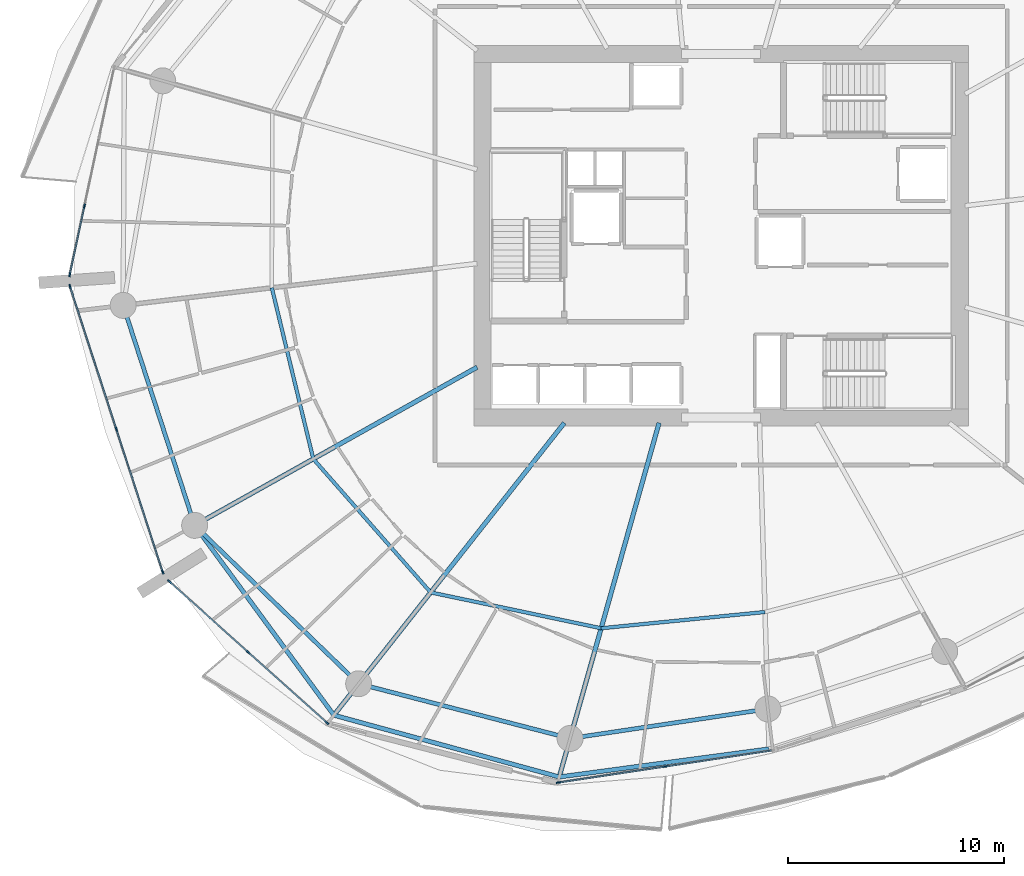
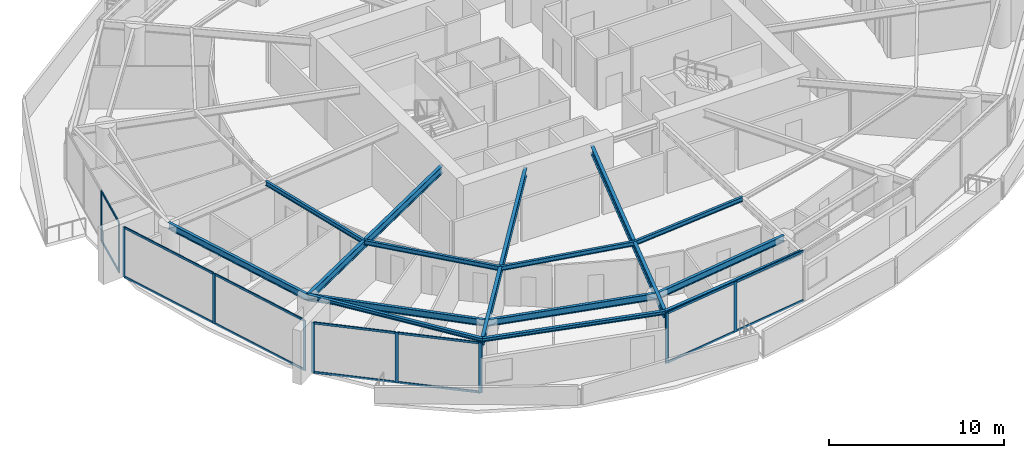
# One storey, part 5 of 23: 24 members, 14 beams, 4 elements without a shape of their own.
"""IFC4 building model written with IfcOpenShell, lengths in metres."""

from ifc_helpers import new_model, si_unit, direction, frame, origin, origin_2d, place, context, subcontext, project, spatial, rectangle, i_section, extrude, material, layer, layer_set, material_profile, profile_set, type_object, element, aggregate, save


model = new_model("IFC4")

# Units and contexts
model_context = context("Model", 3, precision=1e-05, world=origin(), true_north=direction((0.0, 1.0)))
body_context = subcontext(model_context, "Body", "Model", "MODEL_VIEW")
ifc_project = project(units=[si_unit("LENGTHUNIT", "METRE"), si_unit("AREAUNIT", "SQUARE_METRE"), si_unit("VOLUMEUNIT", "CUBIC_METRE"), si_unit("PLANEANGLEUNIT", "RADIAN"), si_unit("MASSUNIT", "GRAM", prefix="KILO")], contexts=[model_context])

# Site, building, storey
site_placement = place(None, origin())
site = spatial("IfcSite", under=ifc_project, at=site_placement, CompositionType="ELEMENT")
building_placement = place(site_placement, origin())
building = spatial("IfcBuilding", under=site, at=building_placement, Name="Kazma Halo Residences", CompositionType="ELEMENT")
storey_placement = place(building_placement, frame((0.0, 0.0, 105.14990234375)))
storey = spatial("IfcBuildingStorey", under=building, at=storey_placement, Name="L26", CompositionType="ELEMENT", Elevation=105.14990234375)

# Beams
ifc_material_1 = material(Name="Steel S355", Category="steel")
ifc_material_profile_1 = material_profile(ifc_material_1, i_section(OverallWidth=0.201904296875, OverallDepth=0.2470703125, WebThickness=0.00732421875, FlangeThickness=0.010986328125, FilletRadius=0.011962890625, at=origin_2d()), Name="W250x49.1")
ifc_profile_set_1 = profile_set([ifc_material_profile_1], Name="Steel S355")
beam_type_1 = type_object("IfcBeamType", Name="BM-BAL-CANT", PredefinedType="BEAM", material=ifc_profile_set_1)
beam_1_placement = place(storey_placement, frame((24.0966796875, 28.613525390625, 3.376708984375), z_axis=(0.59144927253, -0.806342209005, 0.0), x_axis=(0.806342209005, 0.59144927253, 0.0)))
element("IfcBeam", 1, at=beam_1_placement, inside=storey, type_object=beam_type_1, Name="L26 wave-balcony lead tie beam 09", PredefinedType="BEAM", context=body_context, shape_type="SweptSolid", body=[
    extrude(i_section(OverallWidth=0.201904296875, OverallDepth=0.2470703125, WebThickness=0.00732421875, FlangeThickness=0.010986328125, FilletRadius=0.011962890625, at=origin_2d()), origin(), (0.0, 0.0, 1.0), 10.87939453125),
])
beam_2_placement = place(storey_placement, frame((30.53125, 19.841064453125, 3.376708984375), z_axis=(0.964396617, -0.264460139, 0.0), x_axis=(0.264460139, 0.964396617, 0.0)))
element("IfcBeam", 2, at=beam_2_placement, inside=storey, type_object=beam_type_1, Name="L26 wave-balcony tie beam 10", PredefinedType="BEAM", context=body_context, shape_type="SweptSolid", body=[
    extrude(i_section(OverallWidth=0.201904296875, OverallDepth=0.2470703125, WebThickness=0.00732421875, FlangeThickness=0.010986328125, FilletRadius=0.011962890625, at=origin_2d()), origin(), (0.0, 0.0, 1.0), 10.79833984375),
])
beam_3_placement = place(storey_placement, frame((40.945068359375, 16.9853515625, 3.376708984375), z_axis=(0.991182511795, 0.13250369169, 0.0), x_axis=(-0.13250369169, 0.991182511795, 0.0)))
element("IfcBeam", 3, at=beam_3_placement, inside=storey, type_object=beam_type_1, Name="L26 wave-balcony tie beam 11", PredefinedType="BEAM", context=body_context, shape_type="SweptSolid", body=[
    extrude(i_section(OverallWidth=0.201904296875, OverallDepth=0.2470703125, WebThickness=0.00732421875, FlangeThickness=0.010986328125, FilletRadius=0.011962890625, at=origin_2d()), origin(), (0.0, 0.0, 1.0), 9.78369140625),
])
ifc_material_profile_2 = material_profile(ifc_material_1, i_section(OverallWidth=0.208984375, OverallDepth=0.532958984375, WebThickness=0.01025390625, FlangeThickness=0.015625, FilletRadius=0.01611328125, at=origin_2d()), Name="W530x92")
ifc_profile_set_2 = profile_set([ifc_material_profile_2], Name="Steel S355")
beam_type_2 = type_object("IfcBeamType", Name="BM-RAD-W530", PredefinedType="BEAM", material=ifc_profile_set_2)
beam_4_placement = place(storey_placement, frame((37.14990234375, 35.923583984375, 3.233642578125), z_axis=(-0.87249878074, -0.488616288724, 0.0), x_axis=(0.488616288724, -0.87249878074, 0.0)))
element("IfcBeam", 4, at=beam_4_placement, inside=storey, type_object=beam_type_2, Name="L26 radial floor beam 09", PredefinedType="BEAM", context=body_context, shape_type="SweptSolid", body=[
    extrude(i_section(OverallWidth=0.208984375, OverallDepth=0.532958984375, WebThickness=0.01025390625, FlangeThickness=0.015625, FilletRadius=0.01611328125, at=origin_2d()), origin(), (0.0, 0.0, 1.0), 14.960693359375),
])
beam_5_placement = place(storey_placement, frame((41.180908203125, 33.35009765625, 3.233642578125), z_axis=(-0.619093774822, -0.785317068436, 0.0), x_axis=(0.785317068436, -0.619093774822, 0.0)))
element("IfcBeam", 5, at=beam_5_placement, inside=storey, type_object=beam_type_2, Name="L26 radial floor beam 10", PredefinedType="BEAM", context=body_context, shape_type="SweptSolid", body=[
    extrude(i_section(OverallWidth=0.208984375, OverallDepth=0.532958984375, WebThickness=0.01025390625, FlangeThickness=0.015625, FilletRadius=0.01611328125, at=origin_2d()), origin(), (0.0, 0.0, 1.0), 17.201904296875),
])
beam_6_placement = place(storey_placement, frame((45.560302734375, 33.35009765625, 3.233642578125), z_axis=(-0.271434928076, -0.962456793742, 0.0), x_axis=(0.962456793742, -0.271434928076, 0.0)))
element("IfcBeam", 6, at=beam_6_placement, inside=storey, type_object=beam_type_2, Name="L26 radial floor beam 11", PredefinedType="BEAM", context=body_context, shape_type="SweptSolid", body=[
    extrude(i_section(OverallWidth=0.208984375, OverallDepth=0.532958984375, WebThickness=0.01025390625, FlangeThickness=0.015625, FilletRadius=0.01611328125, at=origin_2d()), origin(), (0.0, 0.0, 1.0), 17.003173828125),
])
ifc_material_profile_3 = material_profile(ifc_material_1, i_section(OverallWidth=0.1650390625, OverallDepth=0.31005859375, WebThickness=0.005859375, FlangeThickness=0.009765625, FilletRadius=0.011962890625, at=origin_2d()), Name="W310x38.7")
ifc_profile_set_3 = profile_set([ifc_material_profile_3], Name="Steel S355")
beam_type_3 = type_object("IfcBeamType", Name="BM-SEC-W310B", PredefinedType="JOIST", material=ifc_profile_set_3)
beam_7_placement = place(storey_placement, frame((27.6630859375, 39.593017578125, 3.34521484375), z_axis=(0.235442033286, -0.971888393264, 0.0), x_axis=(0.971888393264, 0.235442033286, 0.0)))
element("IfcBeam", 7, at=beam_7_placement, inside=storey, type_object=beam_type_3, Name="L26 circumferential floor joist 08", PredefinedType="JOIST", context=body_context, shape_type="SweptSolid", body=[
    extrude(i_section(OverallWidth=0.1650390625, OverallDepth=0.31005859375, WebThickness=0.005859375, FlangeThickness=0.009765625, FilletRadius=0.011962890625, at=origin_2d()), origin(), (0.0, 0.0, 1.0), 8.137939453125),
])
beam_8_placement = place(storey_placement, frame((29.5791015625, 31.683837890625, 3.34521484375), z_axis=(0.660379309564, -0.750932199003, 0.0), x_axis=(0.750932199003, 0.660379309564, 0.0)))
element("IfcBeam", 8, at=beam_8_placement, inside=storey, type_object=beam_type_3, Name="L26 circumferential floor joist 09", PredefinedType="JOIST", context=body_context, shape_type="SweptSolid", body=[
    extrude(i_section(OverallWidth=0.1650390625, OverallDepth=0.31005859375, WebThickness=0.005859375, FlangeThickness=0.009765625, FilletRadius=0.011962890625, at=origin_2d()), origin(), (0.0, 0.0, 1.0), 8.215087890625),
])
beam_9_placement = place(storey_placement, frame((35.004150390625, 25.514892578125, 3.34521484375), z_axis=(0.978607976751, -0.205733876255, 0.0), x_axis=(0.205733876255, 0.978607976751, 0.0)))
element("IfcBeam", 9, at=beam_9_placement, inside=storey, type_object=beam_type_3, Name="L26 circumferential floor joist 10", PredefinedType="JOIST", context=body_context, shape_type="SweptSolid", body=[
    extrude(i_section(OverallWidth=0.1650390625, OverallDepth=0.31005859375, WebThickness=0.005859375, FlangeThickness=0.009765625, FilletRadius=0.011962890625, at=origin_2d()), origin(), (0.0, 0.0, 1.0), 8.051513671875),
])
beam_10_placement = place(storey_placement, frame((42.883544921875, 23.8583984375, 3.34521484375), z_axis=(0.995106821048, 0.098804932586, 0.0), x_axis=(-0.098804932586, 0.995106821048, 0.0)))
element("IfcBeam", 10, at=beam_10_placement, inside=storey, type_object=beam_type_3, Name="L26 circumferential floor joist 11", PredefinedType="JOIST", context=body_context, shape_type="SweptSolid", body=[
    extrude(i_section(OverallWidth=0.1650390625, OverallDepth=0.31005859375, WebThickness=0.005859375, FlangeThickness=0.009765625, FilletRadius=0.011962890625, at=origin_2d()), origin(), (0.0, 0.0, 1.0), 7.610595703125),
])
ifc_material_profile_4 = material_profile(ifc_material_1, i_section(OverallWidth=0.18994140625, OverallDepth=0.45703125, WebThickness=0.009033203125, FlangeThickness=0.014404296875, FilletRadius=0.01611328125, at=origin_2d()), Name="W460x74")
ifc_profile_set_4 = profile_set([ifc_material_profile_4], Name="Steel S355")
beam_type_4 = type_object("IfcBeamType", Name="BM-SPN-W460", PredefinedType="BEAM", material=ifc_profile_set_4)
beam_11_placement = place(storey_placement, frame((20.79345703125, 38.77978515625, 3.271484375), z_axis=(0.309017385422, -0.951056389236, 0.0), x_axis=(0.951056389236, 0.309017385422, 0.0)))
element("IfcBeam", 11, at=beam_11_placement, inside=storey, type_object=beam_type_4, Name="L26 perimeter ring beam 08", PredefinedType="BEAM", context=body_context, shape_type="SweptSolid", body=[
    extrude(i_section(OverallWidth=0.18994140625, OverallDepth=0.45703125, WebThickness=0.009033203125, FlangeThickness=0.014404296875, FilletRadius=0.01611328125, at=origin_2d()), origin(), (0.0, 0.0, 1.0), 10.689453125),
])
beam_12_placement = place(storey_placement, frame((24.0966796875, 28.613525390625, 3.271484375), z_axis=(0.719336783114, -0.694661494873, 0.0), x_axis=(0.694661494873, 0.719336783114, 0.0)))
element("IfcBeam", 12, at=beam_12_placement, inside=storey, type_object=beam_type_4, Name="L26 perimeter ring beam 09", PredefinedType="BEAM", context=body_context, shape_type="SweptSolid", body=[
    extrude(i_section(OverallWidth=0.18994140625, OverallDepth=0.45703125, WebThickness=0.009033203125, FlangeThickness=0.014404296875, FilletRadius=0.01611328125, at=origin_2d()), origin(), (0.0, 0.0, 1.0), 10.537353515625),
])
beam_13_placement = place(storey_placement, frame((31.676513671875, 21.293701171875, 3.271484375), z_axis=(0.968124968683, -0.250467652626, 0.0), x_axis=(0.250467652626, 0.968124968683, 0.0)))
element("IfcBeam", 13, at=beam_13_placement, inside=storey, type_object=beam_type_4, Name="L26 perimeter ring beam 10", PredefinedType="BEAM", context=body_context, shape_type="SweptSolid", body=[
    extrude(i_section(OverallWidth=0.18994140625, OverallDepth=0.45703125, WebThickness=0.009033203125, FlangeThickness=0.014404296875, FilletRadius=0.01611328125, at=origin_2d()), origin(), (0.0, 0.0, 1.0), 10.092529296875),
])
beam_14_placement = place(storey_placement, frame((41.447265625, 18.765869140625, 3.271484375), z_axis=(0.989034176303, 0.147686824414, 0.0), x_axis=(-0.147686824414, 0.989034176303, 0.0)))
element("IfcBeam", 14, at=beam_14_placement, inside=storey, type_object=beam_type_4, Name="L26 perimeter ring beam 11", PredefinedType="BEAM", context=body_context, shape_type="SweptSolid", body=[
    extrude(i_section(OverallWidth=0.18994140625, OverallDepth=0.45703125, WebThickness=0.009033203125, FlangeThickness=0.014404296875, FilletRadius=0.01611328125, at=origin_2d()), origin(), (0.0, 0.0, 1.0), 9.242431640625),
])

# Curtain wall, members
ifc_material_2 = material(Name="Aluminium AW-6063 T6 and Triple-Silver Low-E Glass", Category="aluminium")
ifc_layer = layer(ifc_material_2, 0.199951171875)
ifc_layer_set = layer_set([ifc_layer], Name="Aluminium AW-6063 T6 and Triple-Silver Low-E Glass")
curtain_wall_type = type_object("IfcCurtainWallType", Name="CW-SYS-3", PredefinedType="NOTDEFINED", material=ifc_layer_set)
curtain_wall_1_placement = place(storey_placement, origin())
curtain_wall_1 = element("IfcCurtainWall", 15, at=curtain_wall_1_placement, inside=storey, type_object=curtain_wall_type, Name="L26 unitised curtain wall B07", PredefinedType="NOTDEFINED")
ifc_material_3 = material(Name="Aluminium AW-6063 T6", Category="aluminium")
ifc_material_profile_5 = material_profile(ifc_material_3, rectangle(XDim=0.070068359375, YDim=0.199951171875, at=origin_2d()), Name="CWM-70x200")
ifc_profile_set_5 = profile_set([ifc_material_profile_5], Name="Aluminium AW-6063 T6")
member_type_1 = type_object("IfcMemberType", Name="CW-SYS-3-MUL", PredefinedType="MULLION", material=ifc_profile_set_5)
member_1_placement = place(storey_placement, frame((19.004638671875, 43.36865234375, 0.0), z_axis=(0.0, 0.0, 1.0), x_axis=(0.977774176093, -0.209660822677, 0.0)))
member_1 = element("IfcMember", 16, at=member_1_placement, type_object=member_type_1, Name="CWS-3 mullion 3", PredefinedType="MULLION", context=body_context, shape_type="SweptSolid", body=[
    extrude(rectangle(XDim=0.070068359375, YDim=0.199951171875, at=origin_2d()), origin(), (0.0, 0.0, 1.0), 3.5),
])
member_2_placement = place(storey_placement, frame((18.323486328125, 40.192626953125, 0.0), z_axis=(0.0, 0.0, 1.0), x_axis=(0.977774176093, -0.209660822677, 0.0)))
member_2 = element("IfcMember", 17, at=member_2_placement, type_object=member_type_1, Name="CWS-3 mullion 4", PredefinedType="MULLION", context=body_context, shape_type="SweptSolid", body=[
    extrude(rectangle(XDim=0.070068359375, YDim=0.199951171875, at=origin_2d()), origin(), (0.0, 0.0, 1.0), 3.5),
])

curtain_wall_2_placement = place(storey_placement, origin())
curtain_wall_2 = element("IfcCurtainWall", 18, at=curtain_wall_2_placement, inside=storey, type_object=curtain_wall_type, Name="L26 unitised curtain wall B08", PredefinedType="NOTDEFINED")
member_3_placement = place(storey_placement, frame((18.334716796875, 39.6572265625, 0.0), z_axis=(0.0, 0.0, 1.0), x_axis=(0.951057722508, 0.309013282008, 0.0)))
member_3 = element("IfcMember", 19, at=member_3_placement, type_object=member_type_1, Name="CWS-3 mullion 1", PredefinedType="MULLION", context=body_context, shape_type="SweptSolid", body=[
    extrude(rectangle(XDim=0.070068359375, YDim=0.199951171875, at=origin_2d()), origin(), (0.0, 0.0, 1.0), 3.5),
])
member_4_placement = place(storey_placement, frame((20.47900390625, 33.057861328125, 0.0), z_axis=(0.0, 0.0, 1.0), x_axis=(0.951057722508, 0.309013282008, 0.0)))
member_4 = element("IfcMember", 20, at=member_4_placement, type_object=member_type_1, Name="CWS-3 mullion 2", PredefinedType="MULLION", context=body_context, shape_type="SweptSolid", body=[
    extrude(rectangle(XDim=0.070068359375, YDim=0.199951171875, at=origin_2d()), origin(), (0.0, 0.0, 1.0), 3.5),
])
member_5_placement = place(storey_placement, frame((22.623291015625, 26.45849609375, 0.0), z_axis=(0.0, 0.0, 1.0), x_axis=(0.951057722508, 0.309013282008, 0.0)))
member_5 = element("IfcMember", 21, at=member_5_placement, type_object=member_type_1, Name="CWS-3 mullion 3", PredefinedType="MULLION", context=body_context, shape_type="SweptSolid", body=[
    extrude(rectangle(XDim=0.070068359375, YDim=0.199951171875, at=origin_2d()), origin(), (0.0, 0.0, 1.0), 3.5),
])

curtain_wall_3_placement = place(storey_placement, origin())
curtain_wall_3 = element("IfcCurtainWall", 22, at=curtain_wall_3_placement, inside=storey, type_object=curtain_wall_type, Name="L26 unitised curtain wall B09", PredefinedType="NOTDEFINED")
member_6_placement = place(storey_placement, frame((22.928955078125, 26.018798828125, 0.0), z_axis=(0.0, 0.0, 1.0), x_axis=(0.667794957375, 0.744345279359, 0.0)))
member_6 = element("IfcMember", 23, at=member_6_placement, type_object=member_type_1, Name="CWS-3 mullion 1", PredefinedType="MULLION", context=body_context, shape_type="SweptSolid", body=[
    extrude(rectangle(XDim=0.070068359375, YDim=0.199951171875, at=origin_2d()), origin(), (0.0, 0.0, 1.0), 3.5),
])
member_7_placement = place(storey_placement, frame((26.568603515625, 22.75341796875, 0.0), z_axis=(0.0, 0.0, 1.0), x_axis=(0.667794957375, 0.744345279359, 0.0)))
member_7 = element("IfcMember", 24, at=member_7_placement, type_object=member_type_1, Name="CWS-3 mullion 2", PredefinedType="MULLION", context=body_context, shape_type="SweptSolid", body=[
    extrude(rectangle(XDim=0.070068359375, YDim=0.199951171875, at=origin_2d()), origin(), (0.0, 0.0, 1.0), 3.5),
])
member_8_placement = place(storey_placement, frame((30.208251953125, 19.48779296875, 0.0), z_axis=(0.0, 0.0, 1.0), x_axis=(0.667794957375, 0.744345279359, 0.0)))
member_8 = element("IfcMember", 25, at=member_8_placement, type_object=member_type_1, Name="CWS-3 mullion 3", PredefinedType="MULLION", context=body_context, shape_type="SweptSolid", body=[
    extrude(rectangle(XDim=0.070068359375, YDim=0.199951171875, at=origin_2d()), origin(), (0.0, 0.0, 1.0), 3.5),
])

curtain_wall_4_placement = place(storey_placement, origin())
curtain_wall_4 = element("IfcCurtainWall", 26, at=curtain_wall_4_placement, inside=storey, type_object=curtain_wall_type, Name="L26 unitised curtain wall B11", PredefinedType="NOTDEFINED")
member_9_placement = place(storey_placement, frame((40.90576171875, 16.728271484375, 0.0), z_axis=(0.0, 0.0, 1.0), x_axis=(-0.148717330409, 0.988879747814, 0.0)))
member_9 = element("IfcMember", 27, at=member_9_placement, type_object=member_type_1, Name="CWS-3 mullion 1", PredefinedType="MULLION", context=body_context, shape_type="SweptSolid", body=[
    extrude(rectangle(XDim=0.070068359375, YDim=0.199951171875, at=origin_2d()), origin(), (0.0, 0.0, 1.0), 3.5),
])
member_10_placement = place(storey_placement, frame((45.843017578125, 17.470703125, 0.0), z_axis=(0.0, 0.0, 1.0), x_axis=(-0.148717330409, 0.988879747814, 0.0)))
member_10 = element("IfcMember", 28, at=member_10_placement, type_object=member_type_1, Name="CWS-3 mullion 2", PredefinedType="MULLION", context=body_context, shape_type="SweptSolid", body=[
    extrude(rectangle(XDim=0.070068359375, YDim=0.199951171875, at=origin_2d()), origin(), (0.0, 0.0, 1.0), 3.5),
])

# Member
ifc_material_profile_6 = material_profile(ifc_material_3, rectangle(XDim=0.070068359375, YDim=0.14990234375, at=origin_2d()), Name="CWT-70x150")
ifc_profile_set_6 = profile_set([ifc_material_profile_6], Name="Aluminium AW-6063 T6")
member_type_2 = type_object("IfcMemberType", Name="CW-SYS-3-TRN", PredefinedType="USERDEFINED", material=ifc_profile_set_6)
member_11_placement = place(storey_placement, frame((18.997314453125, 43.33447265625, 0.03515625), z_axis=(-0.209717949017, -0.977761924939, 0.0), x_axis=(0.977761924939, -0.209717949017, 0.0)))
member_11 = element("IfcMember", 29, at=member_11_placement, type_object=member_type_2, Name="CWS-3 transom 3.1", ObjectType="TRANSOM", PredefinedType="USERDEFINED", context=body_context, shape_type="SweptSolid", body=[
    extrude(rectangle(XDim=0.070068359375, YDim=0.14990234375, at=origin_2d()), origin(), (0.0, 0.0, 1.0), 3.177978515625),
])

member_12_placement = place(storey_placement, frame((18.997314453125, 43.33447265625, 3.465087890625), z_axis=(-0.209717949017, -0.977761924939, 0.0), x_axis=(0.977761924939, -0.209717949017, 0.0)))
member_12 = element("IfcMember", 30, at=member_12_placement, type_object=member_type_2, Name="CWS-3 transom 3.2", ObjectType="TRANSOM", PredefinedType="USERDEFINED", context=body_context, shape_type="SweptSolid", body=[
    extrude(rectangle(XDim=0.070068359375, YDim=0.14990234375, at=origin_2d()), origin(), (0.0, 0.0, 1.0), 3.177978515625),
])

aggregate(curtain_wall_1, [member_1, member_2, member_11, member_12])

member_13_placement = place(storey_placement, frame((18.345458984375, 39.6240234375, 0.03515625), z_axis=(0.309000079699, -0.95106201204, 0.0), x_axis=(0.95106201204, 0.309000079699, 0.0)))
member_13 = element("IfcMember", 31, at=member_13_placement, type_object=member_type_2, Name="CWS-3 transom 1.1", ObjectType="TRANSOM", PredefinedType="USERDEFINED", context=body_context, shape_type="SweptSolid", body=[
    extrude(rectangle(XDim=0.070068359375, YDim=0.14990234375, at=origin_2d()), origin(), (0.0, 0.0, 1.0), 6.869140625),
])

member_14_placement = place(storey_placement, frame((18.345458984375, 39.6240234375, 3.465087890625), z_axis=(0.309000079699, -0.95106201204, 0.0), x_axis=(0.95106201204, 0.309000079699, 0.0)))
member_14 = element("IfcMember", 32, at=member_14_placement, type_object=member_type_2, Name="CWS-3 transom 1.2", ObjectType="TRANSOM", PredefinedType="USERDEFINED", context=body_context, shape_type="SweptSolid", body=[
    extrude(rectangle(XDim=0.070068359375, YDim=0.14990234375, at=origin_2d()), origin(), (0.0, 0.0, 1.0), 6.869140625),
])

member_15_placement = place(storey_placement, frame((20.48974609375, 33.024658203125, 0.03515625), z_axis=(0.309000079699, -0.95106201204, 0.0), x_axis=(0.95106201204, 0.309000079699, 0.0)))
member_15 = element("IfcMember", 33, at=member_15_placement, type_object=member_type_2, Name="CWS-3 transom 2.1", ObjectType="TRANSOM", PredefinedType="USERDEFINED", context=body_context, shape_type="SweptSolid", body=[
    extrude(rectangle(XDim=0.070068359375, YDim=0.14990234375, at=origin_2d()), origin(), (0.0, 0.0, 1.0), 6.869140625),
])

member_16_placement = place(storey_placement, frame((20.48974609375, 33.024658203125, 3.465087890625), z_axis=(0.309000079699, -0.95106201204, 0.0), x_axis=(0.95106201204, 0.309000079699, 0.0)))
member_16 = element("IfcMember", 34, at=member_16_placement, type_object=member_type_2, Name="CWS-3 transom 2.2", ObjectType="TRANSOM", PredefinedType="USERDEFINED", context=body_context, shape_type="SweptSolid", body=[
    extrude(rectangle(XDim=0.070068359375, YDim=0.14990234375, at=origin_2d()), origin(), (0.0, 0.0, 1.0), 6.869140625),
])

aggregate(curtain_wall_2, [member_3, member_4, member_5, member_13, member_14, member_15, member_16])

member_17_placement = place(storey_placement, frame((22.954833984375, 25.995361328125, 0.03515625), z_axis=(0.744338471453, -0.667802545603, 0.0), x_axis=(0.667802545603, 0.744338471453, 0.0)))
member_17 = element("IfcMember", 35, at=member_17_placement, type_object=member_type_2, Name="CWS-3 transom 1.1", ObjectType="TRANSOM", PredefinedType="USERDEFINED", context=body_context, shape_type="SweptSolid", body=[
    extrude(rectangle(XDim=0.070068359375, YDim=0.14990234375, at=origin_2d()), origin(), (0.0, 0.0, 1.0), 4.81982421875),
])

member_18_placement = place(storey_placement, frame((22.954833984375, 25.995361328125, 3.465087890625), z_axis=(0.744338471453, -0.667802545603, 0.0), x_axis=(0.667802545603, 0.744338471453, 0.0)))
member_18 = element("IfcMember", 36, at=member_18_placement, type_object=member_type_2, Name="CWS-3 transom 1.2", ObjectType="TRANSOM", PredefinedType="USERDEFINED", context=body_context, shape_type="SweptSolid", body=[
    extrude(rectangle(XDim=0.070068359375, YDim=0.14990234375, at=origin_2d()), origin(), (0.0, 0.0, 1.0), 4.81982421875),
])

member_19_placement = place(storey_placement, frame((26.5947265625, 22.72998046875, 0.03515625), z_axis=(0.744338471453, -0.667802545603, 0.0), x_axis=(0.667802545603, 0.744338471453, 0.0)))
member_19 = element("IfcMember", 37, at=member_19_placement, type_object=member_type_2, Name="CWS-3 transom 2.1", ObjectType="TRANSOM", PredefinedType="USERDEFINED", context=body_context, shape_type="SweptSolid", body=[
    extrude(rectangle(XDim=0.070068359375, YDim=0.14990234375, at=origin_2d()), origin(), (0.0, 0.0, 1.0), 4.81982421875),
])

member_20_placement = place(storey_placement, frame((26.5947265625, 22.72998046875, 3.465087890625), z_axis=(0.744338471453, -0.667802545603, 0.0), x_axis=(0.667802545603, 0.744338471453, 0.0)))
member_20 = element("IfcMember", 38, at=member_20_placement, type_object=member_type_2, Name="CWS-3 transom 2.2", ObjectType="TRANSOM", PredefinedType="USERDEFINED", context=body_context, shape_type="SweptSolid", body=[
    extrude(rectangle(XDim=0.070068359375, YDim=0.14990234375, at=origin_2d()), origin(), (0.0, 0.0, 1.0), 4.81982421875),
])

aggregate(curtain_wall_3, [member_6, member_7, member_8, member_17, member_18, member_19, member_20])

member_21_placement = place(storey_placement, frame((40.9404296875, 16.7333984375, 0.03515625), z_axis=(0.988876977991, 0.148735746878, 0.0), x_axis=(-0.148735746878, 0.988876977991, 0.0)))
member_21 = element("IfcMember", 39, at=member_21_placement, type_object=member_type_2, Name="CWS-3 transom 1.1", ObjectType="TRANSOM", PredefinedType="USERDEFINED", context=body_context, shape_type="SweptSolid", body=[
    extrude(rectangle(XDim=0.070068359375, YDim=0.14990234375, at=origin_2d()), origin(), (0.0, 0.0, 1.0), 4.922607421875),
])

member_22_placement = place(storey_placement, frame((40.9404296875, 16.7333984375, 3.465087890625), z_axis=(0.988876977991, 0.148735746878, 0.0), x_axis=(-0.148735746878, 0.988876977991, 0.0)))
member_22 = element("IfcMember", 40, at=member_22_placement, type_object=member_type_2, Name="CWS-3 transom 1.2", ObjectType="TRANSOM", PredefinedType="USERDEFINED", context=body_context, shape_type="SweptSolid", body=[
    extrude(rectangle(XDim=0.070068359375, YDim=0.14990234375, at=origin_2d()), origin(), (0.0, 0.0, 1.0), 4.922607421875),
])

member_23_placement = place(storey_placement, frame((45.87744140625, 17.47607421875, 0.03515625), z_axis=(0.988884271372, 0.148687248386, 0.0), x_axis=(-0.148687248386, 0.988884271372, 0.0)))
member_23 = element("IfcMember", 41, at=member_23_placement, type_object=member_type_2, Name="CWS-3 transom 2.1", ObjectType="TRANSOM", PredefinedType="USERDEFINED", context=body_context, shape_type="SweptSolid", body=[
    extrude(rectangle(XDim=0.070068359375, YDim=0.14990234375, at=origin_2d()), origin(), (0.0, 0.0, 1.0), 4.922607421875),
])

member_24_placement = place(storey_placement, frame((45.87744140625, 17.47607421875, 3.465087890625), z_axis=(0.988884271372, 0.148687248386, 0.0), x_axis=(-0.148687248386, 0.988884271372, 0.0)))
member_24 = element("IfcMember", 42, at=member_24_placement, type_object=member_type_2, Name="CWS-3 transom 2.2", ObjectType="TRANSOM", PredefinedType="USERDEFINED", context=body_context, shape_type="SweptSolid", body=[
    extrude(rectangle(XDim=0.070068359375, YDim=0.14990234375, at=origin_2d()), origin(), (0.0, 0.0, 1.0), 4.922607421875),
])

aggregate(curtain_wall_4, [member_9, member_10, member_21, member_22, member_23, member_24])

save(model, "model.ifc")
